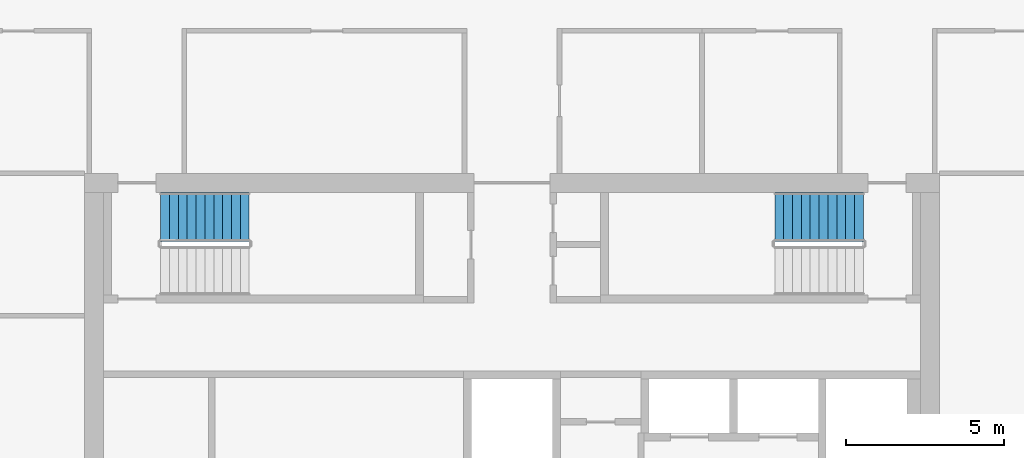
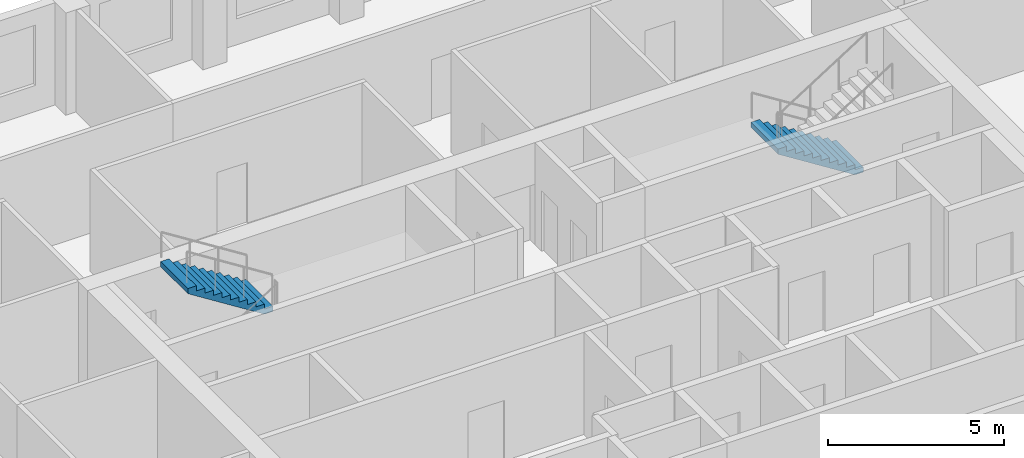
# One storey, part 8 of 9: 2 stair flights, 2 elements without a shape of their own.
"""IFC4 building model written with IfcOpenShell, lengths in metres."""

from ifc_helpers import new_model, si_unit, direction, frame, origin, place, context, subcontext, project, spatial, polyline, outline, extrude, material, type_object, element, aggregate, save


model = new_model("IFC4")

# Units and contexts
model_context = context("Model", 3, precision=1e-05, world=origin(), true_north=direction((0.0, 1.0)))
body_context = subcontext(model_context, "Body", "Model", "MODEL_VIEW")
ifc_project = project(units=[si_unit("LENGTHUNIT", "METRE"), si_unit("AREAUNIT", "SQUARE_METRE"), si_unit("VOLUMEUNIT", "CUBIC_METRE"), si_unit("PLANEANGLEUNIT", "RADIAN"), si_unit("MASSUNIT", "GRAM", prefix="KILO")], contexts=[model_context])

# Site, building, storey
site_placement = place(None, origin())
site = spatial("IfcSite", under=ifc_project, at=site_placement, CompositionType="ELEMENT")
building_placement = place(site_placement, origin())
building = spatial("IfcBuilding", under=site, at=building_placement, Name="Dhurran Vertical Campus", CompositionType="ELEMENT")
storey_placement = place(building_placement, frame((0.0, 0.0, 199.5)))
storey = spatial("IfcBuildingStorey", under=building, at=storey_placement, Name="L49", CompositionType="ELEMENT", Elevation=199.5)

# Stair, stair flight
ifc_material_1 = material(Name="Concrete C40/50", Category="concrete")
stair_type = type_object("IfcStairType", Name="co-ST-CORE", PredefinedType="HALF_TURN_STAIR", material=ifc_material_1)
stair_1_placement = place(storey_placement, origin())
stair_1 = element("IfcStair", 1, at=stair_1_placement, inside=storey, type_object=stair_type, Name="L49 Protected exit stair ST1", PredefinedType="HALF_TURN_STAIR")
ifc_material_2 = material(Name="Concrete C40/50", Category="concrete")
stair_flight_type = type_object("IfcStairFlightType", Name="co-SFL-RC", PredefinedType="STRAIGHT", material=ifc_material_2)
stair_flight_1_placement = place(storey_placement, frame((-8.300048828125, 9.875, 1.949951171875), z_axis=(0.0, 0.0, 1.0), x_axis=(-1.0, 0.0, 0.0)))
stair_flight_1 = element("IfcStairFlight", 2, at=stair_flight_1_placement, type_object=stair_flight_type, Name="ST1 flight 2", NumberOfRisers=11, NumberOfTreads=10, PredefinedType="STRAIGHT", RiserHeight=0.177272727, TreadLength=0.28, context=body_context, shape_type="SweptSolid", body=[
    extrude(outline(polyline([(0.0, 0.0), (0.0, 0.17724609375), (0.280029296875, 0.17724609375), (0.280029296875, 0.3544921875), (0.56005859375, 0.3544921875), (0.56005859375, 0.53173828125), (0.840087890625, 0.53173828125), (0.840087890625, 0.708984375), (1.1201171875, 0.708984375), (1.1201171875, 0.886474609375), (1.39990234375, 0.886474609375), (1.39990234375, 1.063720703125), (1.679931640625, 1.063720703125), (1.679931640625, 1.240966796875), (1.9599609375, 1.240966796875), (1.9599609375, 1.418212890625), (2.239990234375, 1.418212890625), (2.239990234375, 1.595458984375), (2.52001953125, 1.595458984375), (2.52001953125, 1.772705078125), (2.800048828125, 1.772705078125), (2.800048828125, 1.949951171875), (2.800048828125, 1.59521484375), (0.2802734375, 0.0), (0.0, 0.0)])), frame((0.0, 0.77490234375, 0.0), z_axis=(0.0, -1.0, 0.0), x_axis=(1.0, 0.0, 0.0)), (0.0, 0.0, 1.0), 1.550048828125),
])
aggregate(stair_1, [stair_flight_1])

stair_2_placement = place(storey_placement, origin())
stair_2 = element("IfcStair", 3, at=stair_2_placement, inside=storey, type_object=stair_type, Name="L49 Protected exit stair ST2", PredefinedType="HALF_TURN_STAIR")
stair_flight_2_placement = place(storey_placement, frame((11.10009765625, 9.875, 0.0), z_axis=(0.0, 0.0, 1.0), x_axis=(-1.0, 0.0, 0.0)))
stair_flight_2 = element("IfcStairFlight", 4, at=stair_flight_2_placement, type_object=stair_flight_type, Name="ST2 flight 1", NumberOfRisers=11, NumberOfTreads=10, PredefinedType="STRAIGHT", RiserHeight=0.177272727, TreadLength=0.28, context=body_context, shape_type="SweptSolid", body=[
    extrude(outline(polyline([(0.0, 0.0), (0.0, 0.17724609375), (0.280029296875, 0.17724609375), (0.280029296875, 0.3544921875), (0.56005859375, 0.3544921875), (0.56005859375, 0.53173828125), (0.840087890625, 0.53173828125), (0.840087890625, 0.708984375), (1.1201171875, 0.708984375), (1.1201171875, 0.886474609375), (1.39990234375, 0.886474609375), (1.39990234375, 1.063720703125), (1.679931640625, 1.063720703125), (1.679931640625, 1.240966796875), (1.9599609375, 1.240966796875), (1.9599609375, 1.418212890625), (2.239990234375, 1.418212890625), (2.239990234375, 1.595458984375), (2.52001953125, 1.595458984375), (2.52001953125, 1.772705078125), (2.800048828125, 1.772705078125), (2.800048828125, 1.949951171875), (2.800048828125, 1.59521484375), (0.2802734375, 0.0), (0.0, 0.0)])), frame((0.0, 0.77490234375, 0.0), z_axis=(0.0, -1.0, 0.0), x_axis=(1.0, 0.0, 0.0)), (0.0, 0.0, 1.0), 1.550048828125),
])
aggregate(stair_2, [stair_flight_2])

save(model, "model.ifc")
